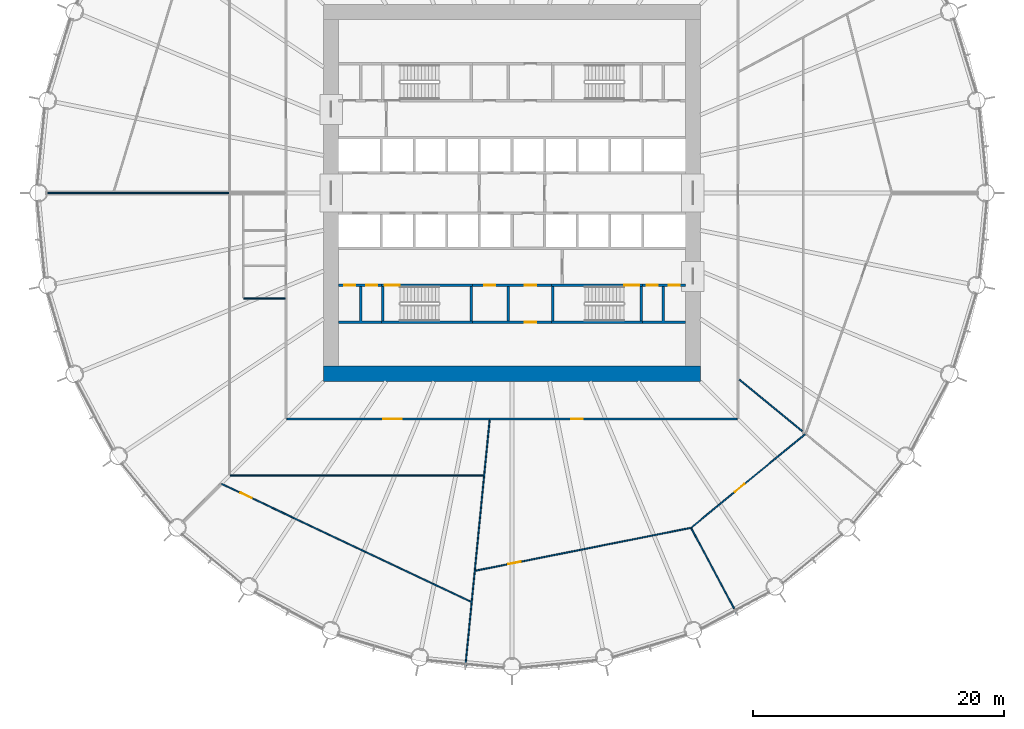
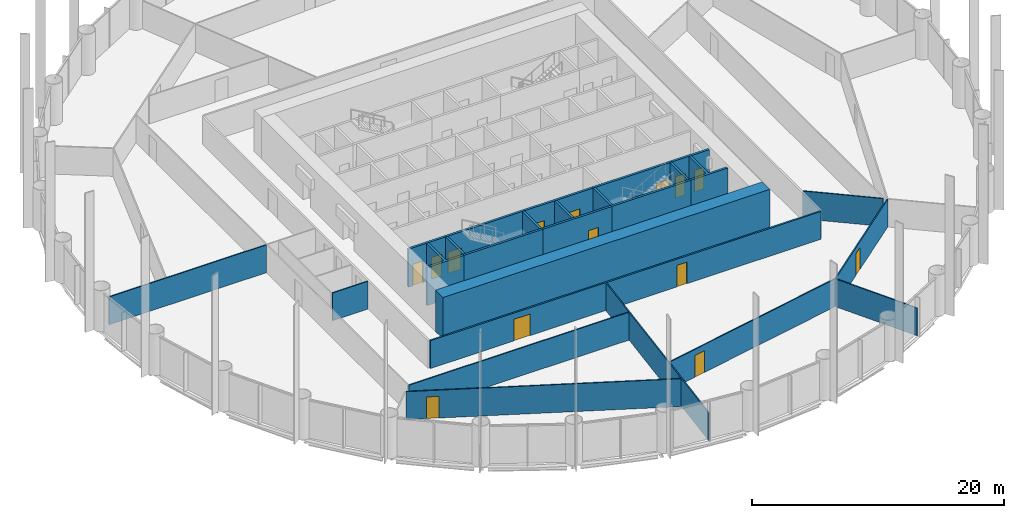
# One storey, part 9 of 14: 26 walls, 14 doors, 14 openings.
"""IFC4 building model written with IfcOpenShell, lengths in metres."""

from ifc_helpers import new_model, si_unit, direction, frame, frame_2d, origin, place, context, subcontext, project, spatial, polyline, rectangle, outline, extrude, material, layer, layer_set, type_object, element, fill, save


model = new_model("IFC4")

# Units and contexts
model_context = context("Model", 3, precision=1e-05, world=origin(), true_north=direction((0.0, 1.0)))
body_context = subcontext(model_context, "Body", "Model", "MODEL_VIEW")
ifc_project = project(units=[si_unit("LENGTHUNIT", "METRE"), si_unit("AREAUNIT", "SQUARE_METRE"), si_unit("VOLUMEUNIT", "CUBIC_METRE"), si_unit("PLANEANGLEUNIT", "RADIAN"), si_unit("MASSUNIT", "GRAM", prefix="KILO")], contexts=[model_context])

# Site, building, storey
site_placement = place(None, origin())
site = spatial("IfcSite", under=ifc_project, at=site_placement, CompositionType="ELEMENT")
building_placement = place(site_placement, origin())
building = spatial("IfcBuilding", under=site, at=building_placement, Name="Corvane Civic Tower", CompositionType="ELEMENT")
storey_placement = place(building_placement, frame((0.0, 0.0, 77.0)))
storey = spatial("IfcBuildingStorey", under=building, at=storey_placement, Name="L17", CompositionType="ELEMENT", Elevation=77.0)

# Wall
ifc_material_1 = material(Name="Concrete C80/95", Category="concrete")
ifc_layer_1 = layer(ifc_material_1, 1.199951171875)
ifc_layer_set_1 = layer_set([ifc_layer_1], Name="Concrete C80/95")
wall_type_1 = type_object("IfcWallType", Name="CORE WALL 1200 C80/95", PredefinedType="SHEAR", material=ifc_layer_set_1)
wall_1_placement = place(storey_placement, frame((-15.0, -14.39990234375, 0.0), z_axis=(0.0, 0.0, 1.0), x_axis=(1.0, 0.0, 0.0)))
element("IfcWall", 1, at=wall_1_placement, inside=storey, type_object=wall_type_1, Name="W-L17-core-S", PredefinedType="SHEAR", context=body_context, shape_type="SweptSolid", body=[
    extrude(rectangle(XDim=30.0, YDim=1.199951171875, at=frame_2d((15.0, 0.0))), origin(), (0.0, 0.0, 1.0), 4.0),
])

# Wall, opening, door
ifc_material_2 = material(Name="Concrete C30/37", Category="concrete")
ifc_layer_2 = layer(ifc_material_2, 0.199951171875)
ifc_layer_set_2 = layer_set([ifc_layer_2], Name="Concrete C30/37")
wall_type_2 = type_object("IfcWallType", Name="CR-WALL-200", PredefinedType="PARTITIONING", material=ifc_layer_set_2)
wall_2_placement = place(storey_placement, frame((-3.14990234375, -10.300048828125, 0.0), z_axis=(0.0, 0.0, 1.0), x_axis=(1.0, 0.0, 0.0)))
wall_2 = element("IfcWall", 2, at=wall_2_placement, inside=storey, type_object=wall_type_2, Name="L17 partition wall", PredefinedType="PARTITIONING", context=body_context, shape_type="SweptSolid", body=[
    extrude(rectangle(XDim=6.2998046875, YDim=0.199951171875, at=frame_2d((3.14990234375, 0.0))), origin(), (0.0, 0.0, 1.0), 3.699951171875),
])
opening_1_placement = place(wall_2_placement, frame((4.175048828125, 0.0, 0.0)))
opening_1 = element("IfcOpeningElement", 3, at=opening_1_placement, cuts=wall_2, Name="Opening L17.C07", PredefinedType="OPENING", context=body_context, shape_type="SweptSolid", body=[
    extrude(rectangle(XDim=0.89990234375, YDim=2.10009765625, at=frame_2d((0.449951171875, 1.050048828125))), frame((0.0, 0.10986328125, 0.0), z_axis=(0.0, -1.0, 0.0), x_axis=(1.0, 0.0, 0.0)), (0.0, 0.0, 1.0), 0.219970703125),
])
ifc_material_3 = material(Name="Steel fire door leaf", Category="steel")
door_type_1 = type_object("IfcDoorType", Name="CR-DOOR-900", OperationType="SINGLE_SWING_LEFT", PredefinedType="DOOR", material=ifc_material_3)
door_1_placement = place(opening_1_placement, origin())
door_1 = element("IfcDoor", 4, at=door_1_placement, inside=storey, type_object=door_type_1, Name="L17 door", OperationType="SINGLE_SWING_LEFT", OverallHeight=2.10009765625, OverallWidth=0.89990234375, PredefinedType="DOOR", context=body_context, shape_type="SweptSolid", body=[
    extrude(rectangle(XDim=0.89990234375, YDim=2.10009765625, at=frame_2d((0.449951171875, 1.050048828125))), frame((0.0, 0.02490234375, 0.0), z_axis=(0.0, -1.0, 0.0), x_axis=(1.0, 0.0, 0.0)), (0.0, 0.0, 1.0), 0.050048828125),
])
fill(opening_1, door_1)

# Wall, openings, doors
wall_3_placement = place(storey_placement, frame((-13.800048828125, -7.35009765625, 0.0), z_axis=(0.0, 0.0, 1.0), x_axis=(1.0, 0.0, 0.0)))
wall_3 = element("IfcWall", 5, at=wall_3_placement, inside=storey, type_object=wall_type_2, Name="L17 core partition wall", PredefinedType="PARTITIONING", context=body_context, shape_type="SweptSolid", body=[
    extrude(rectangle(XDim=3.400146484375, YDim=0.199951171875, at=frame_2d((1.7001953125, 0.0))), origin(), (0.0, 0.0, 1.0), 3.699951171875),
])
opening_2_placement = place(wall_3_placement, frame((0.425048828125, 0.0, 0.0)))
opening_2 = element("IfcOpeningElement", 6, at=opening_2_placement, cuts=wall_3, Name="Opening L17.C10", PredefinedType="OPENING", context=body_context, shape_type="SweptSolid", body=[
    extrude(rectangle(XDim=0.89990234375, YDim=2.10009765625, at=frame_2d((0.449951171875, 1.050048828125))), frame((0.0, 0.10986328125, 0.0), z_axis=(0.0, -1.0, 0.0), x_axis=(1.0, 0.0, 0.0)), (0.0, 0.0, 1.0), 0.219970703125),
])
opening_3_placement = place(wall_3_placement, frame((2.175048828125, 0.0, 0.0)))
opening_3 = element("IfcOpeningElement", 7, at=opening_3_placement, cuts=wall_3, Name="Opening L17.C11", PredefinedType="OPENING", context=body_context, shape_type="SweptSolid", body=[
    extrude(rectangle(XDim=0.89990234375, YDim=2.10009765625, at=frame_2d((0.449951171875, 1.050048828125))), frame((0.0, 0.10986328125, 0.0), z_axis=(0.0, -1.0, 0.0), x_axis=(1.0, 0.0, 0.0)), (0.0, 0.0, 1.0), 0.219970703125),
])
door_2_placement = place(opening_2_placement, origin())
door_2 = element("IfcDoor", 8, at=door_2_placement, inside=storey, type_object=door_type_1, Name="L17 door", OperationType="SINGLE_SWING_LEFT", OverallHeight=2.10009765625, OverallWidth=0.89990234375, PredefinedType="DOOR", context=body_context, shape_type="SweptSolid", body=[
    extrude(rectangle(XDim=0.89990234375, YDim=2.10009765625, at=frame_2d((0.449951171875, 1.050048828125))), frame((0.0, 0.02490234375, 0.0), z_axis=(0.0, -1.0, 0.0), x_axis=(1.0, 0.0, 0.0)), (0.0, 0.0, 1.0), 0.050048828125),
])
fill(opening_2, door_2)
door_3_placement = place(opening_3_placement, origin())
door_3 = element("IfcDoor", 9, at=door_3_placement, inside=storey, type_object=door_type_1, Name="L17 door", OperationType="SINGLE_SWING_LEFT", OverallHeight=2.10009765625, OverallWidth=0.89990234375, PredefinedType="DOOR", context=body_context, shape_type="SweptSolid", body=[
    extrude(rectangle(XDim=0.89990234375, YDim=2.10009765625, at=frame_2d((0.449951171875, 1.050048828125))), frame((0.0, 0.02490234375, 0.0), z_axis=(0.0, -1.0, 0.0), x_axis=(1.0, 0.0, 0.0)), (0.0, 0.0, 1.0), 0.050048828125),
])
fill(opening_3, door_3)

wall_4_placement = place(storey_placement, frame((-3.14990234375, -7.35009765625, 0.0), z_axis=(0.0, 0.0, 1.0), x_axis=(1.0, 0.0, 0.0)))
wall_4 = element("IfcWall", 10, at=wall_4_placement, inside=storey, type_object=wall_type_2, Name="L17 core partition wall", PredefinedType="PARTITIONING", context=body_context, shape_type="SweptSolid", body=[
    extrude(rectangle(XDim=6.2998046875, YDim=0.199951171875, at=frame_2d((3.14990234375, 0.0))), origin(), (0.0, 0.0, 1.0), 3.699951171875),
])
opening_4_placement = place(wall_4_placement, frame((0.925048828125, 0.0, 0.0)))
opening_4 = element("IfcOpeningElement", 11, at=opening_4_placement, cuts=wall_4, Name="Opening L17.C04", PredefinedType="OPENING", context=body_context, shape_type="SweptSolid", body=[
    extrude(rectangle(XDim=0.89990234375, YDim=2.10009765625, at=frame_2d((0.449951171875, 1.050048828125))), frame((0.0, 0.10986328125, 0.0), z_axis=(0.0, -1.0, 0.0), x_axis=(1.0, 0.0, 0.0)), (0.0, 0.0, 1.0), 0.219970703125),
])
opening_5_placement = place(wall_4_placement, frame((4.175048828125, 0.0, 0.0)))
opening_5 = element("IfcOpeningElement", 12, at=opening_5_placement, cuts=wall_4, Name="Opening L17.C05", PredefinedType="OPENING", context=body_context, shape_type="SweptSolid", body=[
    extrude(rectangle(XDim=0.89990234375, YDim=2.10009765625, at=frame_2d((0.449951171875, 1.050048828125))), frame((0.0, 0.10986328125, 0.0), z_axis=(0.0, -1.0, 0.0), x_axis=(1.0, 0.0, 0.0)), (0.0, 0.0, 1.0), 0.219970703125),
])
door_4_placement = place(opening_4_placement, origin())
door_4 = element("IfcDoor", 13, at=door_4_placement, inside=storey, type_object=door_type_1, Name="L17 door", OperationType="SINGLE_SWING_LEFT", OverallHeight=2.10009765625, OverallWidth=0.89990234375, PredefinedType="DOOR", context=body_context, shape_type="SweptSolid", body=[
    extrude(rectangle(XDim=0.89990234375, YDim=2.10009765625, at=frame_2d((0.449951171875, 1.050048828125))), frame((0.0, 0.02490234375, 0.0), z_axis=(0.0, -1.0, 0.0), x_axis=(1.0, 0.0, 0.0)), (0.0, 0.0, 1.0), 0.050048828125),
])
fill(opening_4, door_4)
door_5_placement = place(opening_5_placement, origin())
door_5 = element("IfcDoor", 14, at=door_5_placement, inside=storey, type_object=door_type_1, Name="L17 door", OperationType="SINGLE_SWING_LEFT", OverallHeight=2.10009765625, OverallWidth=0.89990234375, PredefinedType="DOOR", context=body_context, shape_type="SweptSolid", body=[
    extrude(rectangle(XDim=0.89990234375, YDim=2.10009765625, at=frame_2d((0.449951171875, 1.050048828125))), frame((0.0, 0.02490234375, 0.0), z_axis=(0.0, -1.0, 0.0), x_axis=(1.0, 0.0, 0.0)), (0.0, 0.0, 1.0), 0.050048828125),
])
fill(opening_5, door_5)

wall_5_placement = place(storey_placement, frame((10.39990234375, -7.35009765625, 0.0), z_axis=(0.0, 0.0, 1.0), x_axis=(1.0, 0.0, 0.0)))
wall_5 = element("IfcWall", 15, at=wall_5_placement, inside=storey, type_object=wall_type_2, Name="L17 core partition wall", PredefinedType="PARTITIONING", context=body_context, shape_type="SweptSolid", body=[
    extrude(rectangle(XDim=3.400146484375, YDim=0.199951171875, at=frame_2d((1.7001953125, 0.0))), origin(), (0.0, 0.0, 1.0), 3.699951171875),
])
opening_6_placement = place(wall_5_placement, frame((0.324951171875, 0.0, 0.0)))
opening_6 = element("IfcOpeningElement", 16, at=opening_6_placement, cuts=wall_5, Name="Opening L17.C14", PredefinedType="OPENING", context=body_context, shape_type="SweptSolid", body=[
    extrude(rectangle(XDim=0.89990234375, YDim=2.10009765625, at=frame_2d((0.449951171875, 1.050048828125))), frame((0.0, 0.10986328125, 0.0), z_axis=(0.0, -1.0, 0.0), x_axis=(1.0, 0.0, 0.0)), (0.0, 0.0, 1.0), 0.219970703125),
])
opening_7_placement = place(wall_5_placement, frame((2.074951171875, 0.0, 0.0)))
opening_7 = element("IfcOpeningElement", 17, at=opening_7_placement, cuts=wall_5, Name="Opening L17.C15", PredefinedType="OPENING", context=body_context, shape_type="SweptSolid", body=[
    extrude(rectangle(XDim=0.89990234375, YDim=2.10009765625, at=frame_2d((0.449951171875, 1.050048828125))), frame((0.0, 0.10986328125, 0.0), z_axis=(0.0, -1.0, 0.0), x_axis=(1.0, 0.0, 0.0)), (0.0, 0.0, 1.0), 0.219970703125),
])
door_6_placement = place(opening_6_placement, origin())
door_6 = element("IfcDoor", 18, at=door_6_placement, inside=storey, type_object=door_type_1, Name="L17 door", OperationType="SINGLE_SWING_LEFT", OverallHeight=2.10009765625, OverallWidth=0.89990234375, PredefinedType="DOOR", context=body_context, shape_type="SweptSolid", body=[
    extrude(rectangle(XDim=0.89990234375, YDim=2.10009765625, at=frame_2d((0.449951171875, 1.050048828125))), frame((0.0, 0.02490234375, 0.0), z_axis=(0.0, -1.0, 0.0), x_axis=(1.0, 0.0, 0.0)), (0.0, 0.0, 1.0), 0.050048828125),
])
fill(opening_6, door_6)
door_7_placement = place(opening_7_placement, origin())
door_7 = element("IfcDoor", 19, at=door_7_placement, inside=storey, type_object=door_type_1, Name="L17 door", OperationType="SINGLE_SWING_LEFT", OverallHeight=2.10009765625, OverallWidth=0.89990234375, PredefinedType="DOOR", context=body_context, shape_type="SweptSolid", body=[
    extrude(rectangle(XDim=0.89990234375, YDim=2.10009765625, at=frame_2d((0.449951171875, 1.050048828125))), frame((0.0, 0.02490234375, 0.0), z_axis=(0.0, -1.0, 0.0), x_axis=(1.0, 0.0, 0.0)), (0.0, 0.0, 1.0), 0.050048828125),
])
fill(opening_7, door_7)

# Walls
wall_6_placement = place(storey_placement, origin())
element("IfcWall", 20, at=wall_6_placement, inside=storey, type_object=wall_type_2, Name="L17 core partition wall", PredefinedType="PARTITIONING", context=body_context, shape_type="SweptSolid", body=[
    extrude(outline(polyline([(-12.14990234375, -7.449951171875), (-11.949951171875, -7.449951171875), (-11.949951171875, -10.199951171875), (-10.39990234375, -10.199951171875), (-10.39990234375, -10.39990234375), (-13.800048828125, -10.39990234375), (-13.800048828125, -10.199951171875), (-12.14990234375, -10.199951171875), (-12.14990234375, -7.449951171875)])), origin(), (0.0, 0.0, 1.0), 3.699951171875),
])
wall_7_placement = place(storey_placement, origin())
element("IfcWall", 21, at=wall_7_placement, inside=storey, type_object=wall_type_2, Name="L17 core partition wall", PredefinedType="PARTITIONING", context=body_context, shape_type="SweptSolid", body=[
    extrude(outline(polyline([(-0.199951171875, -10.199951171875), (-0.39990234375, -10.199951171875), (-0.39990234375, -7.449951171875), (-0.199951171875, -7.449951171875), (-0.199951171875, -10.199951171875)])), origin(), (0.0, 0.0, 1.0), 3.699951171875),
])
wall_8_placement = place(storey_placement, origin())
element("IfcWall", 22, at=wall_8_placement, inside=storey, type_object=wall_type_2, Name="L17 core partition wall", PredefinedType="PARTITIONING", context=body_context, shape_type="SweptSolid", body=[
    extrude(outline(polyline([(11.949951171875, -7.449951171875), (12.14990234375, -7.449951171875), (12.14990234375, -10.199951171875), (13.800048828125, -10.199951171875), (13.800048828125, -10.39990234375), (10.39990234375, -10.39990234375), (10.39990234375, -10.199951171875), (11.949951171875, -10.199951171875), (11.949951171875, -7.449951171875)])), origin(), (0.0, 0.0, 1.0), 3.699951171875),
])
ifc_material_4 = material(Name="Plasterboard")
ifc_layer_3 = layer(ifc_material_4, 0.10009765625)
ifc_layer_set_3 = layer_set([ifc_layer_3], Name="Plasterboard")
wall_type_3 = type_object("IfcWallType", Name="Partition 100 plasterboard on studs", PredefinedType="PARTITIONING", material=ifc_layer_set_3)
wall_9_placement = place(storey_placement, frame((-3.7197265625, -37.767333984375, 0.0), z_axis=(0.0, 0.0, 1.0), x_axis=(0.098012901965, 0.995185144106, 0.0)))
element("IfcWall", 23, at=wall_9_placement, inside=storey, type_object=wall_type_3, Name="Partition L17.001", PredefinedType="PARTITIONING", context=body_context, shape_type="SweptSolid", body=[
    extrude(rectangle(XDim=19.78271484375, YDim=0.10009765625, at=frame_2d((9.891357421875, 0.0))), origin(), (0.0, 0.0, 1.0), 2.699951171875),
])
wall_10_placement = place(storey_placement, frame((14.27490234375, -26.706298828125, 0.0), z_axis=(0.0, 0.0, 1.0), x_axis=(0.471397765351, -0.88192071459, 0.0)))
element("IfcWall", 24, at=wall_10_placement, inside=storey, type_object=wall_type_3, Name="Partition L17.002", PredefinedType="PARTITIONING", context=body_context, shape_type="SweptSolid", body=[
    extrude(rectangle(XDim=7.668212890625, YDim=0.10009765625, at=frame_2d((3.833984375, 0.0))), origin(), (0.0, 0.0, 1.0), 2.699951171875),
])

# Wall, opening, door
wall_11_placement = place(storey_placement, frame((-23.12158203125, -23.168701171875, 0.0), z_axis=(0.0, 0.0, 1.0), x_axis=(0.903991946501, -0.427549483289, 0.0)))
wall_11 = element("IfcWall", 25, at=wall_11_placement, inside=storey, type_object=wall_type_3, Name="Partition L17.003", PredefinedType="PARTITIONING", context=body_context, shape_type="SweptSolid", body=[
    extrude(rectangle(XDim=21.955810546875, YDim=0.10009765625, at=frame_2d((10.97802734375, 0.0))), origin(), (0.0, 0.0, 1.0), 2.699951171875),
])
opening_8_placement = place(wall_11_placement, frame((1.65625, 0.0, 0.0)))
opening_8 = element("IfcOpeningElement", 26, at=opening_8_placement, cuts=wall_11, Name="Opening L17.010", PredefinedType="OPENING", context=body_context, shape_type="SweptSolid", body=[
    extrude(rectangle(XDim=1.0, YDim=2.10009765625, at=frame_2d((0.5, 1.050048828125))), frame((0.0, 0.06005859375, 0.0), z_axis=(0.0, -1.0, 0.0), x_axis=(1.0, 0.0, 0.0)), (0.0, 0.0, 1.0), 0.1201171875),
])
ifc_material_5 = material(Name="Timber", Category="wood")
door_type_2 = type_object("IfcDoorType", Name="Single door 1000", OperationType="NOTDEFINED", PredefinedType="DOOR", material=ifc_material_5)
door_8_placement = place(opening_8_placement, frame((1.0, 0.0, 0.0), z_axis=(0.0, 0.0, 1.0), x_axis=(-1.0, 0.0, 0.0)))
door_8 = element("IfcDoor", 27, at=door_8_placement, inside=storey, type_object=door_type_2, Name="Door L17.010", OperationType="SINGLE_SWING_LEFT", OverallHeight=2.10009765625, OverallWidth=1.0, PredefinedType="DOOR", context=body_context, shape_type="SweptSolid", body=[
    extrude(rectangle(XDim=1.0, YDim=2.10009765625, at=frame_2d((0.5, 1.050048828125))), frame((0.0, 0.02490234375, 0.0), z_axis=(0.0, -1.0, 0.0), x_axis=(1.0, 0.0, 0.0)), (0.0, 0.0, 1.0), 0.050048828125),
])
fill(opening_8, door_8)

wall_12_placement = place(storey_placement, frame((-2.89794921875, -30.08203125, 0.0), z_axis=(0.0, 0.0, 1.0), x_axis=(0.980785133157, 0.195091062273, 0.0)))
wall_12 = element("IfcWall", 28, at=wall_12_placement, inside=storey, type_object=wall_type_3, Name="Partition L17.004", PredefinedType="PARTITIONING", context=body_context, shape_type="SweptSolid", body=[
    extrude(rectangle(XDim=17.452392578125, YDim=0.10009765625, at=frame_2d((8.72607421875, 0.0))), origin(), (0.0, 0.0, 1.0), 2.699951171875),
])
opening_9_placement = place(wall_12_placement, frame((2.657958984375, 0.0, 0.0)))
opening_9 = element("IfcOpeningElement", 29, at=opening_9_placement, cuts=wall_12, Name="Opening L17.006", PredefinedType="OPENING", context=body_context, shape_type="SweptSolid", body=[
    extrude(rectangle(XDim=1.0, YDim=2.10009765625, at=frame_2d((0.5, 1.050048828125))), frame((0.0, 0.06005859375, 0.0), z_axis=(0.0, -1.0, 0.0), x_axis=(1.0, 0.0, 0.0)), (0.0, 0.0, 1.0), 0.1201171875),
])
door_9_placement = place(opening_9_placement, frame((1.0, 0.0, 0.0), z_axis=(0.0, 0.0, 1.0), x_axis=(-1.0, 0.0, 0.0)))
door_9 = element("IfcDoor", 30, at=door_9_placement, inside=storey, type_object=door_type_2, Name="Door L17.006", OperationType="SINGLE_SWING_RIGHT", OverallHeight=2.10009765625, OverallWidth=1.0, PredefinedType="DOOR", context=body_context, shape_type="SweptSolid", body=[
    extrude(rectangle(XDim=1.0, YDim=2.10009765625, at=frame_2d((0.5, 1.050048828125))), frame((0.0, 0.02490234375, 0.0), z_axis=(0.0, -1.0, 0.0), x_axis=(1.0, 0.0, 0.0)), (0.0, 0.0, 1.0), 0.050048828125),
])
fill(opening_9, door_9)

wall_13_placement = place(storey_placement, frame((14.287109375, -26.64404296875, 0.0), z_axis=(0.0, 0.0, 1.0), x_axis=(0.773012324641, 0.634391003998, 0.0)))
wall_13 = element("IfcWall", 31, at=wall_13_placement, inside=storey, type_object=wall_type_3, Name="Partition L17.005", PredefinedType="PARTITIONING", context=body_context, shape_type="SweptSolid", body=[
    extrude(rectangle(XDim=11.71728515625, YDim=0.10009765625, at=frame_2d((5.858642578125, 0.0))), origin(), (0.0, 0.0, 1.0), 2.699951171875),
])
opening_10_placement = place(wall_13_placement, frame((4.476806640625, 0.0, 0.0)))
opening_10 = element("IfcOpeningElement", 32, at=opening_10_placement, cuts=wall_13, Name="Opening L17.005", PredefinedType="OPENING", context=body_context, shape_type="SweptSolid", body=[
    extrude(rectangle(XDim=1.0, YDim=2.10009765625, at=frame_2d((0.5, 1.050048828125))), frame((0.0, 0.06005859375, 0.0), z_axis=(0.0, -1.0, 0.0), x_axis=(1.0, 0.0, 0.0)), (0.0, 0.0, 1.0), 0.1201171875),
])
door_10_placement = place(opening_10_placement, frame((1.0, 0.0, 0.0), z_axis=(0.0, 0.0, 1.0), x_axis=(-1.0, 0.0, 0.0)))
door_10 = element("IfcDoor", 33, at=door_10_placement, inside=storey, type_object=door_type_2, Name="Door L17.005", OperationType="SINGLE_SWING_LEFT", OverallHeight=2.10009765625, OverallWidth=1.0, PredefinedType="DOOR", context=body_context, shape_type="SweptSolid", body=[
    extrude(rectangle(XDim=1.0, YDim=2.10009765625, at=frame_2d((0.5, 1.050048828125))), frame((0.0, 0.02490234375, 0.0), z_axis=(0.0, -1.0, 0.0), x_axis=(1.0, 0.0, 0.0)), (0.0, 0.0, 1.0), 0.050048828125),
])
fill(opening_10, door_10)

# Walls
wall_14_placement = place(storey_placement, frame((-22.449951171875, -22.5, 0.0), z_axis=(0.0, 0.0, 1.0), x_axis=(1.0, 0.0, 0.0)))
element("IfcWall", 34, at=wall_14_placement, inside=storey, type_object=wall_type_3, Name="Partition L17.008", PredefinedType="PARTITIONING", context=body_context, shape_type="SweptSolid", body=[
    extrude(rectangle(XDim=20.1787109375, YDim=0.10009765625, at=frame_2d((10.08935546875, 0.0))), origin(), (0.0, 0.0, 1.0), 2.699951171875),
])
wall_15_placement = place(storey_placement, frame((18.106689453125, -14.85986328125, 0.0), z_axis=(0.0, 0.0, 1.0), x_axis=(0.77302696646, -0.634373162363, 0.0)))
element("IfcWall", 35, at=wall_15_placement, inside=storey, type_object=wall_type_3, Name="Partition L17.012", PredefinedType="PARTITIONING", context=body_context, shape_type="SweptSolid", body=[
    extrude(rectangle(XDim=6.483154296875, YDim=0.10009765625, at=frame_2d((3.24169921875, 0.0))), origin(), (0.0, 0.0, 1.0), 2.699951171875),
])
wall_16_placement = place(storey_placement, frame((-21.35009765625, -8.39990234375, 0.0), z_axis=(0.0, 0.0, 1.0), x_axis=(1.0, 0.0, 0.0)))
element("IfcWall", 36, at=wall_16_placement, inside=storey, type_object=wall_type_3, Name="Partition L17.016", PredefinedType="PARTITIONING", context=body_context, shape_type="SweptSolid", body=[
    extrude(rectangle(XDim=3.275146484375, YDim=0.10009765625, at=frame_2d((1.6376953125, 0.0))), origin(), (0.0, 0.0, 1.0), 2.699951171875),
])
wall_17_placement = place(storey_placement, frame((-36.989990234375, 0.0, 0.0), z_axis=(0.0, 0.0, 1.0), x_axis=(1.0, 0.0, 0.0)))
element("IfcWall", 37, at=wall_17_placement, inside=storey, type_object=wall_type_3, Name="Partition L17.020", PredefinedType="PARTITIONING", context=body_context, shape_type="SweptSolid", body=[
    extrude(rectangle(XDim=14.43994140625, YDim=0.10009765625, at=frame_2d((7.219970703125, 0.0))), origin(), (0.0, 0.0, 1.0), 2.699951171875),
])

# Wall, opening, door
ifc_material_6 = material(Name="Concrete C50/60", Category="concrete")
ifc_layer_4 = layer(ifc_material_6, 0.199951171875)
ifc_layer_set_4 = layer_set([ifc_layer_4], Name="Concrete C50/60")
wall_type_4 = type_object("IfcWallType", Name="ST-WALL-200", PredefinedType="SHEAR", material=ifc_layer_set_4)
wall_18_placement = place(storey_placement, frame((-10.39990234375, -7.35009765625, 0.0), z_axis=(0.0, 0.0, 1.0), x_axis=(1.0, 0.0, 0.0)))
wall_18 = element("IfcWall", 38, at=wall_18_placement, inside=storey, type_object=wall_type_4, Name="L17 stair enclosure wall", PredefinedType="SHEAR", context=body_context, shape_type="SweptSolid", body=[
    extrude(rectangle(XDim=7.25, YDim=0.199951171875, at=frame_2d((3.625, 0.0))), origin(), (0.0, 0.0, 1.0), 3.699951171875),
])
opening_11_placement = place(wall_18_placement, frame((0.25, 0.0, 0.0)))
opening_11 = element("IfcOpeningElement", 39, at=opening_11_placement, cuts=wall_18, Name="Opening L17.C19", PredefinedType="OPENING", context=body_context, shape_type="SweptSolid", body=[
    extrude(rectangle(XDim=1.199951171875, YDim=2.10009765625, at=frame_2d((0.60009765625, 1.050048828125))), frame((0.0, 0.10986328125, 0.0), z_axis=(0.0, -1.0, 0.0), x_axis=(1.0, 0.0, 0.0)), (0.0, 0.0, 1.0), 0.219970703125),
])
ifc_material_7 = material(Name="Steel fire door leaf", Category="steel")
door_type_3 = type_object("IfcDoorType", Name="ST-DOOR-1200", OperationType="SINGLE_SWING_RIGHT", PredefinedType="DOOR", material=ifc_material_7)
door_11_placement = place(opening_11_placement, origin())
door_11 = element("IfcDoor", 40, at=door_11_placement, inside=storey, type_object=door_type_3, Name="L17 stair door", OperationType="SINGLE_SWING_RIGHT", OverallHeight=2.10009765625, OverallWidth=1.199951171875, PredefinedType="DOOR", context=body_context, shape_type="SweptSolid", body=[
    extrude(rectangle(XDim=1.199951171875, YDim=2.10009765625, at=frame_2d((0.60009765625, 1.050048828125))), frame((0.0, 0.02490234375, 0.0), z_axis=(0.0, -1.0, 0.0), x_axis=(1.0, 0.0, 0.0)), (0.0, 0.0, 1.0), 0.050048828125),
])
fill(opening_11, door_11)

wall_19_placement = place(storey_placement, frame((3.14990234375, -7.35009765625, 0.0), z_axis=(0.0, 0.0, 1.0), x_axis=(1.0, 0.0, 0.0)))
wall_19 = element("IfcWall", 41, at=wall_19_placement, inside=storey, type_object=wall_type_4, Name="L17 stair enclosure wall", PredefinedType="SHEAR", context=body_context, shape_type="SweptSolid", body=[
    extrude(rectangle(XDim=7.25, YDim=0.199951171875, at=frame_2d((3.625, 0.0))), origin(), (0.0, 0.0, 1.0), 3.699951171875),
])
opening_12_placement = place(wall_19_placement, frame((5.800048828125, 0.0, 0.0)))
opening_12 = element("IfcOpeningElement", 42, at=opening_12_placement, cuts=wall_19, Name="Opening L17.C18", PredefinedType="OPENING", context=body_context, shape_type="SweptSolid", body=[
    extrude(rectangle(XDim=1.199951171875, YDim=2.10009765625, at=frame_2d((0.60009765625, 1.050048828125))), frame((0.0, 0.10986328125, 0.0), z_axis=(0.0, -1.0, 0.0), x_axis=(1.0, 0.0, 0.0)), (0.0, 0.0, 1.0), 0.219970703125),
])
door_12_placement = place(opening_12_placement, origin())
door_12 = element("IfcDoor", 43, at=door_12_placement, inside=storey, type_object=door_type_3, Name="L17 stair door", OperationType="SINGLE_SWING_RIGHT", OverallHeight=2.10009765625, OverallWidth=1.199951171875, PredefinedType="DOOR", context=body_context, shape_type="SweptSolid", body=[
    extrude(rectangle(XDim=1.199951171875, YDim=2.10009765625, at=frame_2d((0.60009765625, 1.050048828125))), frame((0.0, 0.02490234375, 0.0), z_axis=(0.0, -1.0, 0.0), x_axis=(1.0, 0.0, 0.0)), (0.0, 0.0, 1.0), 0.050048828125),
])
fill(opening_12, door_12)

# Walls
wall_20_placement = place(storey_placement, origin())
element("IfcWall", 44, at=wall_20_placement, inside=storey, type_object=wall_type_4, Name="L17 stair enclosure wall", PredefinedType="SHEAR", context=body_context, shape_type="SweptSolid", body=[
    extrude(outline(polyline([(-3.14990234375, -10.199951171875), (-3.14990234375, -10.39990234375), (-10.39990234375, -10.39990234375), (-10.39990234375, -10.199951171875), (-3.14990234375, -10.199951171875)])), origin(), (0.0, 0.0, 1.0), 3.699951171875),
])
wall_21_placement = place(storey_placement, origin())
element("IfcWall", 45, at=wall_21_placement, inside=storey, type_object=wall_type_4, Name="L17 stair enclosure wall", PredefinedType="SHEAR", context=body_context, shape_type="SweptSolid", body=[
    extrude(outline(polyline([(10.39990234375, -10.39990234375), (3.14990234375, -10.39990234375), (3.14990234375, -10.199951171875), (10.39990234375, -10.199951171875), (10.39990234375, -10.39990234375)])), origin(), (0.0, 0.0, 1.0), 3.699951171875),
])
wall_22_placement = place(storey_placement, origin())
element("IfcWall", 46, at=wall_22_placement, inside=storey, type_object=wall_type_4, Name="L17 stair enclosure wall", PredefinedType="SHEAR", context=body_context, shape_type="SweptSolid", body=[
    extrude(outline(polyline([(-3.14990234375, -7.449951171875), (-3.14990234375, -10.199951171875), (-3.35009765625, -10.199951171875), (-3.35009765625, -7.449951171875), (-3.14990234375, -7.449951171875)])), origin(), (0.0, 0.0, 1.0), 3.699951171875),
])
wall_23_placement = place(storey_placement, origin())
element("IfcWall", 47, at=wall_23_placement, inside=storey, type_object=wall_type_4, Name="L17 stair enclosure wall", PredefinedType="SHEAR", context=body_context, shape_type="SweptSolid", body=[
    extrude(outline(polyline([(3.35009765625, -7.449951171875), (3.35009765625, -10.199951171875), (3.14990234375, -10.199951171875), (3.14990234375, -7.449951171875), (3.35009765625, -7.449951171875)])), origin(), (0.0, 0.0, 1.0), 3.699951171875),
])
wall_24_placement = place(storey_placement, origin())
element("IfcWall", 48, at=wall_24_placement, inside=storey, type_object=wall_type_4, Name="L17 stair enclosure wall", PredefinedType="SHEAR", context=body_context, shape_type="SweptSolid", body=[
    extrude(outline(polyline([(-10.199951171875, -7.449951171875), (-10.199951171875, -10.199951171875), (-10.39990234375, -10.199951171875), (-10.39990234375, -7.449951171875), (-10.199951171875, -7.449951171875)])), origin(), (0.0, 0.0, 1.0), 3.699951171875),
])
wall_25_placement = place(storey_placement, origin())
element("IfcWall", 49, at=wall_25_placement, inside=storey, type_object=wall_type_4, Name="L17 stair enclosure wall", PredefinedType="SHEAR", context=body_context, shape_type="SweptSolid", body=[
    extrude(outline(polyline([(10.39990234375, -7.449951171875), (10.39990234375, -10.199951171875), (10.199951171875, -10.199951171875), (10.199951171875, -7.449951171875), (10.39990234375, -7.449951171875)])), origin(), (0.0, 0.0, 1.0), 3.699951171875),
])

# Wall, openings, doors
ifc_material_8 = material(Name="Plasterboard")
ifc_layer_5 = layer(ifc_material_8, 0.14990234375)
ifc_layer_set_5 = layer_set([ifc_layer_5], Name="Plasterboard")
wall_type_5 = type_object("IfcWallType", Name="Tenancy wall 150 EI 60", PredefinedType="PARTITIONING", material=ifc_layer_set_5)
wall_26_placement = place(storey_placement, frame((-17.925048828125, -18.0, 0.0), z_axis=(0.0, 0.0, 1.0), x_axis=(1.0, 0.0, 0.0)))
wall_26 = element("IfcWall", 50, at=wall_26_placement, inside=storey, type_object=wall_type_5, Name="Partition L17.013", PredefinedType="PARTITIONING", context=body_context, shape_type="SweptSolid", body=[
    extrude(rectangle(XDim=35.85009765625, YDim=0.14990234375, at=frame_2d((17.925048828125, 0.0))), origin(), (0.0, 0.0, 1.0), 2.699951171875),
])
opening_13_placement = place(wall_26_placement, frame((22.639892578125, 0.0, 0.0)))
opening_13 = element("IfcOpeningElement", 51, at=opening_13_placement, cuts=wall_26, Name="Opening L17.009", PredefinedType="OPENING", context=body_context, shape_type="SweptSolid", body=[
    extrude(rectangle(XDim=0.89990234375, YDim=2.10009765625, at=frame_2d((0.449951171875, 1.050048828125))), frame((0.0, 0.0849609375, 0.0), z_axis=(0.0, -1.0, 0.0), x_axis=(1.0, 0.0, 0.0)), (0.0, 0.0, 1.0), 0.169921875),
])
opening_14_placement = place(wall_26_placement, frame((7.6611328125, 0.0, 0.0)))
opening_14 = element("IfcOpeningElement", 52, at=opening_14_placement, cuts=wall_26, Name="Opening L17.012", PredefinedType="OPENING", context=body_context, shape_type="SweptSolid", body=[
    extrude(rectangle(XDim=1.5, YDim=2.10009765625, at=frame_2d((0.75, 1.050048828125))), frame((0.0, 0.0849609375, 0.0), z_axis=(0.0, -1.0, 0.0), x_axis=(1.0, 0.0, 0.0)), (0.0, 0.0, 1.0), 0.169921875),
])
ifc_material_9 = material(Name="Steel and timber", Category="steel")
door_type_4 = type_object("IfcDoorType", Name="Fire door FD30S 900", OperationType="NOTDEFINED", PredefinedType="DOOR", material=ifc_material_9)
door_13_placement = place(opening_13_placement, frame((0.89990234375, 0.0, 0.0), z_axis=(0.0, 0.0, 1.0), x_axis=(-1.0, 0.0, 0.0)))
door_13 = element("IfcDoor", 53, at=door_13_placement, inside=storey, type_object=door_type_4, Name="Door L17.009", OperationType="SINGLE_SWING_RIGHT", OverallHeight=2.10009765625, OverallWidth=0.89990234375, PredefinedType="DOOR", context=body_context, shape_type="SweptSolid", body=[
    extrude(rectangle(XDim=0.89990234375, YDim=2.10009765625, at=frame_2d((0.449951171875, 1.050048828125))), frame((0.0, 0.02490234375, 0.0), z_axis=(0.0, -1.0, 0.0), x_axis=(1.0, 0.0, 0.0)), (0.0, 0.0, 1.0), 0.050048828125),
])
fill(opening_13, door_13)
ifc_material_10 = material(Name="Steel and timber", Category="steel")
door_type_5 = type_object("IfcDoorType", Name="Fire door FD60 double 1500", OperationType="NOTDEFINED", PredefinedType="DOOR", material=ifc_material_10)
door_14_placement = place(opening_14_placement, frame((1.5, 0.0, 0.0), z_axis=(0.0, 0.0, 1.0), x_axis=(-1.0, 0.0, 0.0)))
door_14 = element("IfcDoor", 54, at=door_14_placement, inside=storey, type_object=door_type_5, Name="Door L17.012", OperationType="DOUBLE_DOOR_SINGLE_SWING", OverallHeight=2.10009765625, OverallWidth=1.5, PredefinedType="DOOR", context=body_context, shape_type="SweptSolid", body=[
    extrude(rectangle(XDim=1.5, YDim=2.10009765625, at=frame_2d((0.75, 1.050048828125))), frame((0.0, 0.02490234375, 0.0), z_axis=(0.0, -1.0, 0.0), x_axis=(1.0, 0.0, 0.0)), (0.0, 0.0, 1.0), 0.050048828125),
])
fill(opening_14, door_14)

save(model, "model.ifc")
